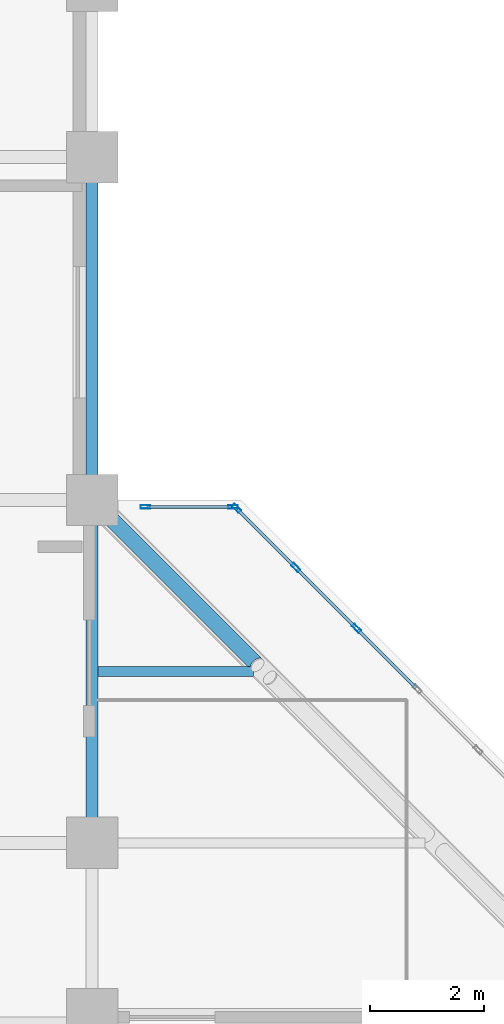
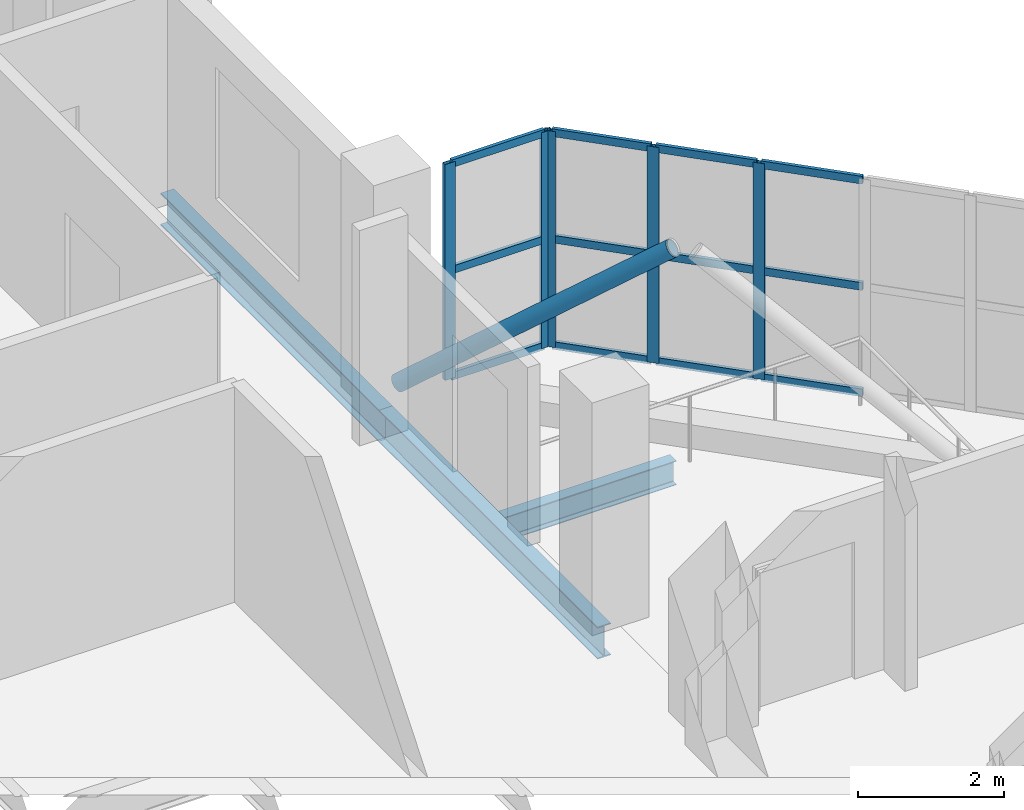
# One storey, part 3 of 9: 18 members, 3 beams, 2 elements without a shape of their own.
"""IFC4 building model written with IfcOpenShell, lengths in metres."""

from ifc_helpers import new_model, si_unit, direction, frame, origin, origin_2d, place, context, subcontext, project, spatial, hollow_rectangle, hollow_circle, i_section, extrude, material, layer, layer_set, material_profile, profile_set, type_object, element, aggregate, save


model = new_model("IFC4")

# Units and contexts
model_context = context("Model", 3, precision=1e-05, world=origin(), true_north=direction((0.0, 1.0)))
body_context = subcontext(model_context, "Body", "Model", "MODEL_VIEW")
ifc_project = project(units=[si_unit("LENGTHUNIT", "METRE"), si_unit("AREAUNIT", "SQUARE_METRE"), si_unit("VOLUMEUNIT", "CUBIC_METRE"), si_unit("PLANEANGLEUNIT", "RADIAN"), si_unit("MASSUNIT", "GRAM", prefix="KILO")], contexts=[model_context])

# Site, building, storey
site_placement = place(None, origin())
site = spatial("IfcSite", under=ifc_project, at=site_placement, CompositionType="ELEMENT")
building_placement = place(site_placement, origin())
building = spatial("IfcBuilding", under=site, at=building_placement, Name="Mawjdan Bourse Tower", CompositionType="ELEMENT")
storey_placement = place(building_placement, frame((0.0, 0.0, 222.89990234375)))
storey = spatial("IfcBuildingStorey", under=building, at=storey_placement, Name="L54", CompositionType="ELEMENT", Elevation=222.89990234375)

# Member
ifc_material_1 = material(Name="Structural Steel S355", Category="steel")
ifc_material_profile_1 = material_profile(ifc_material_1, hollow_circle(Radius=0.136474609375, WallThickness=0.012451171875, at=origin_2d()), Name="CHS273X12.5")
ifc_profile_set_1 = profile_set([ifc_material_profile_1], Name="Structural Steel S355")
member_type_1 = type_object("IfcMemberType", Name="BRC-CHS273X12.5", PredefinedType="BRACE", material=ifc_profile_set_1)
member_1_placement = place(storey_placement, frame((24.1201171875, 29.8798828125, 0.2001953125), z_axis=(0.562709851517, -0.562709851517, 0.605570182564), x_axis=(0.707106781187, 0.707106781187, 0.0)))
element("IfcMember", 1, at=member_1_placement, inside=storey, type_object=member_type_1, Name="L54 Atrium Sky Bridge Truss Diagonal 1", PredefinedType="BRACE", context=body_context, shape_type="SweptSolid", body=[
    extrude(hollow_circle(Radius=0.136474609375, WallThickness=0.012451171875, at=origin_2d()), origin(), (0.0, 0.0, 1.0), 4.904541015625),
])

# Beam
ifc_material_profile_2 = material_profile(ifc_material_1, i_section(OverallWidth=0.177978515625, OverallDepth=0.406982421875, WebThickness=0.0078125, FlangeThickness=0.0126953125, FilletRadius=0.01025390625, at=origin_2d()), Name="W16X40")
ifc_profile_set_2 = profile_set([ifc_material_profile_2], Name="Structural Steel S355")
beam_type_1 = type_object("IfcBeamType", Name="JST-W16X40", PredefinedType="JOIST", material=ifc_profile_set_2)
beam_placement = place(storey_placement, frame((24.10302734375, 27.0, -0.453369140625), z_axis=(1.0, 0.0, 0.0), x_axis=(0.0, 1.0, 0.0)))
element("IfcBeam", 2, at=beam_placement, inside=storey, type_object=beam_type_1, Name="L54 Atrium Sky Bridge Deck Joist 077", PredefinedType="JOIST", context=body_context, shape_type="SweptSolid", body=[
    extrude(i_section(OverallWidth=0.177978515625, OverallDepth=0.406982421875, WebThickness=0.0078125, FlangeThickness=0.0126953125, FilletRadius=0.01025390625, at=origin_2d()), origin(), (0.0, 0.0, 1.0), 2.721435546875),
])

# Curtain wall, members
ifc_material_2 = material(Name="Thermally Broken Aluminium and Solar Glass", Category="aluminium")
ifc_layer = layer(ifc_material_2, 0.219970703125)
ifc_layer_set = layer_set([ifc_layer], Name="Thermally Broken Aluminium and Solar Glass")
curtain_wall_type = type_object("IfcCurtainWallType", Name="CW-BRG", PredefinedType="USERDEFINED", material=ifc_layer_set)
curtain_wall_1_placement = place(storey_placement, origin())
curtain_wall_1 = element("IfcCurtainWall", 3, at=curtain_wall_1_placement, inside=storey, type_object=curtain_wall_type, Name="L54 Atrium Sky Bridge Diagonal Curtain Wall", ObjectType="SKY BRIDGE CURTAIN WALL", PredefinedType="USERDEFINED")
ifc_material_3 = material(Name="Thermally Broken Anodised Aluminium", Category="aluminium")
ifc_material_profile_3 = material_profile(ifc_material_3, hollow_rectangle(XDim=0.06494140625, YDim=0.1650390625, WallThickness=0.00390625, at=origin_2d()), Name="ALU-MUL-165X65")
ifc_profile_set_3 = profile_set([ifc_material_profile_3], Name="Thermally Broken Anodised Aluminium")
member_type_2 = type_object("IfcMemberType", Name="MUL-ALU-MUL-165X65", PredefinedType="MULLION", material=ifc_profile_set_3)
member_2_placement = place(storey_placement, frame((28.626708984375, 27.75341796875, 0.0), z_axis=(0.0, 0.0, 1.0), x_axis=(-0.707106781187, -0.707106781187, 0.0)))
member_2 = element("IfcMember", 4, at=member_2_placement, type_object=member_type_2, Name="CW-BRG-L54-BRG-DIAG mullion 5", PredefinedType="MULLION", context=body_context, shape_type="SweptSolid", body=[
    extrude(hollow_rectangle(XDim=0.06494140625, YDim=0.1650390625, WallThickness=0.00390625, at=origin_2d()), origin(), (0.0, 0.0, 1.0), 3.6201171875),
])
member_3_placement = place(storey_placement, frame((27.563232421875, 28.816650390625, 0.0), z_axis=(0.0, 0.0, 1.0), x_axis=(-0.707106781187, -0.707106781187, 0.0)))
member_3 = element("IfcMember", 5, at=member_3_placement, type_object=member_type_2, Name="CW-BRG-L54-BRG-DIAG mullion 6", PredefinedType="MULLION", context=body_context, shape_type="SweptSolid", body=[
    extrude(hollow_rectangle(XDim=0.06494140625, YDim=0.1650390625, WallThickness=0.00390625, at=origin_2d()), origin(), (0.0, 0.0, 1.0), 3.6201171875),
])
member_4_placement = place(storey_placement, frame((26.52294921875, 29.85693359375, 0.0), z_axis=(0.0, 0.0, 1.0), x_axis=(-0.707106781187, -0.707106781187, 0.0)))
member_4 = element("IfcMember", 6, at=member_4_placement, type_object=member_type_2, Name="CW-BRG-L54-BRG-DIAG mullion 7", PredefinedType="MULLION", context=body_context, shape_type="SweptSolid", body=[
    extrude(hollow_rectangle(XDim=0.06494140625, YDim=0.1650390625, WallThickness=0.00390625, at=origin_2d()), origin(), (0.0, 0.0, 1.0), 3.6201171875),
])

curtain_wall_2_placement = place(storey_placement, origin())
curtain_wall_2 = element("IfcCurtainWall", 7, at=curtain_wall_2_placement, inside=storey, type_object=curtain_wall_type, Name="L54 Atrium Sky Bridge North Return Curtain Wall", ObjectType="SKY BRIDGE CURTAIN WALL", PredefinedType="USERDEFINED")
member_5_placement = place(storey_placement, frame((26.467529296875, 29.8798828125, 0.0), z_axis=(0.0, 0.0, 1.0), x_axis=(0.0, -1.0, 0.0)))
member_5 = element("IfcMember", 8, at=member_5_placement, type_object=member_type_2, Name="CW-BRG-L54-BRG-N mullion 1", PredefinedType="MULLION", context=body_context, shape_type="SweptSolid", body=[
    extrude(hollow_rectangle(XDim=0.06494140625, YDim=0.1650390625, WallThickness=0.00390625, at=origin_2d()), origin(), (0.0, 0.0, 1.0), 3.6201171875),
])
member_6_placement = place(storey_placement, frame((24.9326171875, 29.8798828125, 0.0), z_axis=(0.0, 0.0, 1.0), x_axis=(0.0, -1.0, 0.0)))
member_6 = element("IfcMember", 9, at=member_6_placement, type_object=member_type_2, Name="CW-BRG-L54-BRG-N mullion 2", PredefinedType="MULLION", context=body_context, shape_type="SweptSolid", body=[
    extrude(hollow_rectangle(XDim=0.06494140625, YDim=0.1650390625, WallThickness=0.00390625, at=origin_2d()), origin(), (0.0, 0.0, 1.0), 3.6201171875),
])

# Beams
ifc_material_profile_4 = material_profile(ifc_material_1, i_section(OverallWidth=0.2099609375, OverallDepth=0.537109375, WebThickness=0.010986328125, FlangeThickness=0.017333984375, FilletRadius=0.013916015625, at=origin_2d()), Name="W21X68")
ifc_profile_set_4 = profile_set([ifc_material_profile_4], Name="Structural Steel S355")
beam_type_2 = type_object("IfcBeamType", Name="SPN-W21X68", PredefinedType="SPANDREL", material=ifc_profile_set_4)
for number, where, z_axis, x_axis, name in (
    (10, (24.0, 24.0, -0.518310546875), (0.0, 1.0, 0.0), (-1.0, 0.0, 0.0), "L54 Sky Bridge West Interface Spandrel 056"),
    (11, (24.0, 30.0, -0.518310546875), (0.0, 1.0, 0.0), (-1.0, 0.0, 0.0), "L54 Sky Bridge West Interface Spandrel 057"),
):
    element("IfcBeam", number, at=place(storey_placement, frame(where, z_axis=z_axis, x_axis=x_axis)), inside=storey, type_object=beam_type_2, Name=name, PredefinedType="SPANDREL", context=body_context, shape_type="SweptSolid", body=[
        extrude(i_section(OverallWidth=0.2099609375, OverallDepth=0.537109375, WebThickness=0.010986328125, FlangeThickness=0.017333984375, FilletRadius=0.013916015625, at=origin_2d()), origin(), (0.0, 0.0, 1.0), 6.0),
    ])

# Member
ifc_material_profile_5 = material_profile(ifc_material_3, hollow_rectangle(XDim=0.054931640625, YDim=0.1298828125, WallThickness=0.00341796875, at=origin_2d()), Name="ALU-TRN-130X55")
ifc_profile_set_5 = profile_set([ifc_material_profile_5], Name="Thermally Broken Anodised Aluminium")
member_type_3 = type_object("IfcMemberType", Name="TRN-ALU-TRN-130X55", PredefinedType="USERDEFINED", material=ifc_profile_set_5)
member_7_placement = place(storey_placement, frame((29.6669921875, 26.712890625, 0.027587890625), z_axis=(-0.707021940251, 0.707191611943, 0.0), x_axis=(-0.707191611943, -0.707021940251, 0.0)))
member_7 = element("IfcMember", 12, at=member_7_placement, type_object=member_type_3, Name="CW-BRG-L54-BRG-DIAG transom 4.1", ObjectType="TRANSOM", PredefinedType="USERDEFINED", context=body_context, shape_type="SweptSolid", body=[
    extrude(hollow_rectangle(XDim=0.054931640625, YDim=0.1298828125, WallThickness=0.00341796875, at=origin_2d()), origin(), (0.0, 0.0, 1.0), 1.43896484375),
])

member_8_placement = place(storey_placement, frame((29.6669921875, 26.712890625, 1.81005859375), z_axis=(-0.707021940251, 0.707191611943, 0.0), x_axis=(-0.707191611943, -0.707021940251, 0.0)))
member_8 = element("IfcMember", 13, at=member_8_placement, type_object=member_type_3, Name="CW-BRG-L54-BRG-DIAG transom 4.2", ObjectType="TRANSOM", PredefinedType="USERDEFINED", context=body_context, shape_type="SweptSolid", body=[
    extrude(hollow_rectangle(XDim=0.054931640625, YDim=0.1298828125, WallThickness=0.00341796875, at=origin_2d()), origin(), (0.0, 0.0, 1.0), 1.43896484375),
])

member_9_placement = place(storey_placement, frame((29.6669921875, 26.712890625, 3.592529296875), z_axis=(-0.707021940251, 0.707191611943, 0.0), x_axis=(-0.707191611943, -0.707021940251, 0.0)))
member_9 = element("IfcMember", 14, at=member_9_placement, type_object=member_type_3, Name="CW-BRG-L54-BRG-DIAG transom 4.3", ObjectType="TRANSOM", PredefinedType="USERDEFINED", context=body_context, shape_type="SweptSolid", body=[
    extrude(hollow_rectangle(XDim=0.054931640625, YDim=0.1298828125, WallThickness=0.00341796875, at=origin_2d()), origin(), (0.0, 0.0, 1.0), 1.43896484375),
])

member_10_placement = place(storey_placement, frame((28.603759765625, 27.7763671875, 0.027587890625), z_axis=(-0.707106781187, 0.707106781187, 0.0), x_axis=(-0.707106781187, -0.707106781187, 0.0)))
member_10 = element("IfcMember", 15, at=member_10_placement, type_object=member_type_3, Name="CW-BRG-L54-BRG-DIAG transom 5.1", ObjectType="TRANSOM", PredefinedType="USERDEFINED", context=body_context, shape_type="SweptSolid", body=[
    extrude(hollow_rectangle(XDim=0.054931640625, YDim=0.1298828125, WallThickness=0.00341796875, at=origin_2d()), origin(), (0.0, 0.0, 1.0), 1.438720703125),
])

member_11_placement = place(storey_placement, frame((28.603759765625, 27.7763671875, 1.81005859375), z_axis=(-0.707106781187, 0.707106781187, 0.0), x_axis=(-0.707106781187, -0.707106781187, 0.0)))
member_11 = element("IfcMember", 16, at=member_11_placement, type_object=member_type_3, Name="CW-BRG-L54-BRG-DIAG transom 5.2", ObjectType="TRANSOM", PredefinedType="USERDEFINED", context=body_context, shape_type="SweptSolid", body=[
    extrude(hollow_rectangle(XDim=0.054931640625, YDim=0.1298828125, WallThickness=0.00341796875, at=origin_2d()), origin(), (0.0, 0.0, 1.0), 1.438720703125),
])

member_12_placement = place(storey_placement, frame((28.603759765625, 27.7763671875, 3.592529296875), z_axis=(-0.707106781187, 0.707106781187, 0.0), x_axis=(-0.707106781187, -0.707106781187, 0.0)))
member_12 = element("IfcMember", 17, at=member_12_placement, type_object=member_type_3, Name="CW-BRG-L54-BRG-DIAG transom 5.3", ObjectType="TRANSOM", PredefinedType="USERDEFINED", context=body_context, shape_type="SweptSolid", body=[
    extrude(hollow_rectangle(XDim=0.054931640625, YDim=0.1298828125, WallThickness=0.00341796875, at=origin_2d()), origin(), (0.0, 0.0, 1.0), 1.438720703125),
])

member_13_placement = place(storey_placement, frame((27.540283203125, 28.839599609375, 0.027587890625), z_axis=(-0.707106781187, 0.707106781187, 0.0), x_axis=(-0.707106781187, -0.707106781187, 0.0)))
member_13 = element("IfcMember", 18, at=member_13_placement, type_object=member_type_3, Name="CW-BRG-L54-BRG-DIAG transom 6.1", ObjectType="TRANSOM", PredefinedType="USERDEFINED", context=body_context, shape_type="SweptSolid", body=[
    extrude(hollow_rectangle(XDim=0.054931640625, YDim=0.1298828125, WallThickness=0.00341796875, at=origin_2d()), origin(), (0.0, 0.0, 1.0), 1.40625),
])

member_14_placement = place(storey_placement, frame((27.540283203125, 28.839599609375, 1.81005859375), z_axis=(-0.707106781187, 0.707106781187, 0.0), x_axis=(-0.707106781187, -0.707106781187, 0.0)))
member_14 = element("IfcMember", 19, at=member_14_placement, type_object=member_type_3, Name="CW-BRG-L54-BRG-DIAG transom 6.2", ObjectType="TRANSOM", PredefinedType="USERDEFINED", context=body_context, shape_type="SweptSolid", body=[
    extrude(hollow_rectangle(XDim=0.054931640625, YDim=0.1298828125, WallThickness=0.00341796875, at=origin_2d()), origin(), (0.0, 0.0, 1.0), 1.40625),
])

member_15_placement = place(storey_placement, frame((27.540283203125, 28.839599609375, 3.592529296875), z_axis=(-0.707106781187, 0.707106781187, 0.0), x_axis=(-0.707106781187, -0.707106781187, 0.0)))
member_15 = element("IfcMember", 20, at=member_15_placement, type_object=member_type_3, Name="CW-BRG-L54-BRG-DIAG transom 6.3", ObjectType="TRANSOM", PredefinedType="USERDEFINED", context=body_context, shape_type="SweptSolid", body=[
    extrude(hollow_rectangle(XDim=0.054931640625, YDim=0.1298828125, WallThickness=0.00341796875, at=origin_2d()), origin(), (0.0, 0.0, 1.0), 1.40625),
])

aggregate(curtain_wall_1, [member_2, member_3, member_4, member_7, member_8, member_9, member_10, member_11, member_12, member_13, member_14, member_15])

member_16_placement = place(storey_placement, frame((26.43505859375, 29.8798828125, 0.027587890625), z_axis=(-1.0, 0.0, 0.0), x_axis=(0.0, -1.0, 0.0)))
member_16 = element("IfcMember", 21, at=member_16_placement, type_object=member_type_3, Name="CW-BRG-L54-BRG-N transom 1.1", ObjectType="TRANSOM", PredefinedType="USERDEFINED", context=body_context, shape_type="SweptSolid", body=[
    extrude(hollow_rectangle(XDim=0.054931640625, YDim=0.1298828125, WallThickness=0.00341796875, at=origin_2d()), origin(), (0.0, 0.0, 1.0), 1.469970703125),
])

member_17_placement = place(storey_placement, frame((26.43505859375, 29.8798828125, 1.81005859375), z_axis=(-1.0, 0.0, 0.0), x_axis=(0.0, -1.0, 0.0)))
member_17 = element("IfcMember", 22, at=member_17_placement, type_object=member_type_3, Name="CW-BRG-L54-BRG-N transom 1.2", ObjectType="TRANSOM", PredefinedType="USERDEFINED", context=body_context, shape_type="SweptSolid", body=[
    extrude(hollow_rectangle(XDim=0.054931640625, YDim=0.1298828125, WallThickness=0.00341796875, at=origin_2d()), origin(), (0.0, 0.0, 1.0), 1.469970703125),
])

member_18_placement = place(storey_placement, frame((26.43505859375, 29.8798828125, 3.592529296875), z_axis=(-1.0, 0.0, 0.0), x_axis=(0.0, -1.0, 0.0)))
member_18 = element("IfcMember", 23, at=member_18_placement, type_object=member_type_3, Name="CW-BRG-L54-BRG-N transom 1.3", ObjectType="TRANSOM", PredefinedType="USERDEFINED", context=body_context, shape_type="SweptSolid", body=[
    extrude(hollow_rectangle(XDim=0.054931640625, YDim=0.1298828125, WallThickness=0.00341796875, at=origin_2d()), origin(), (0.0, 0.0, 1.0), 1.469970703125),
])

aggregate(curtain_wall_2, [member_5, member_6, member_16, member_17, member_18])

save(model, "model.ifc")
